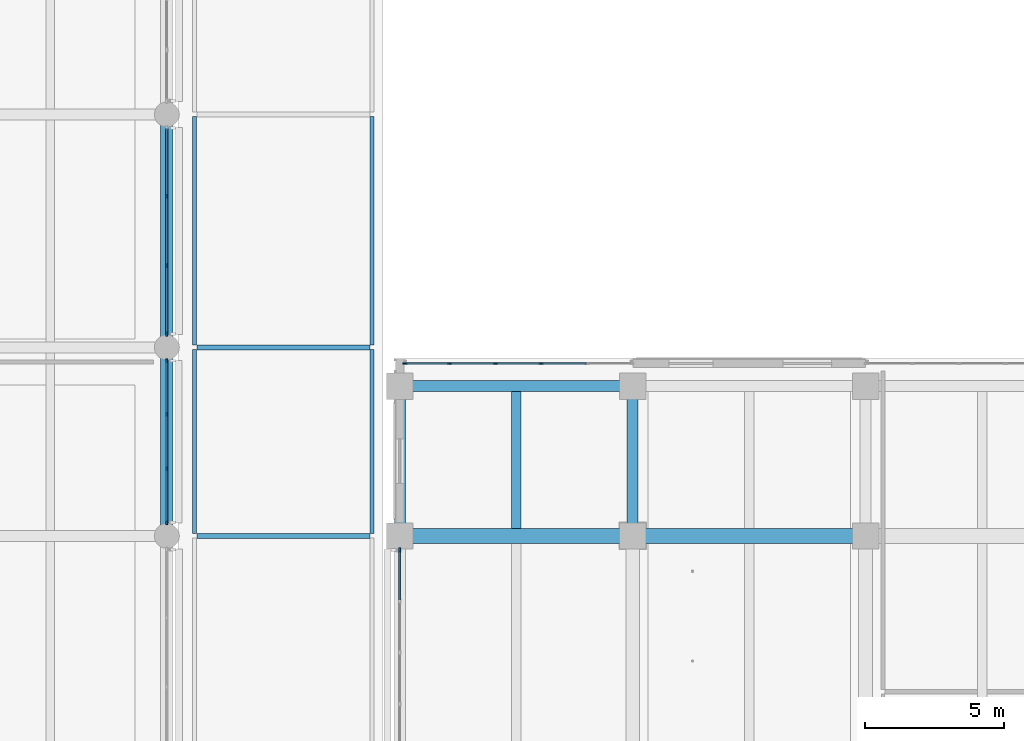
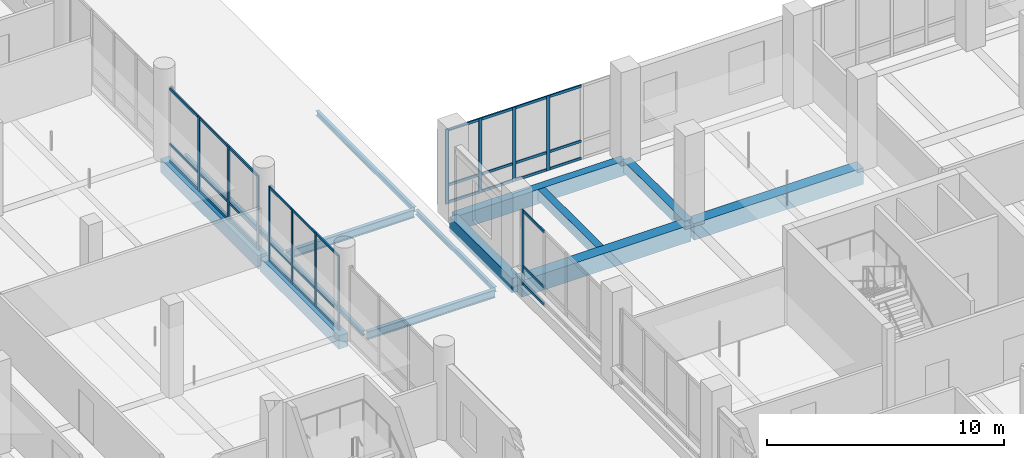
# One storey, part 16 of 128: 45 members, 14 beams, 4 elements without a shape of their own.
"""IFC4 building model written with IfcOpenShell, lengths in metres."""

from ifc_helpers import new_model, si_unit, direction, frame, origin, origin_2d, place, context, subcontext, project, spatial, rectangle, i_section, extrude, material, layer, layer_set, material_profile, profile_set, type_object, element, aggregate, save


model = new_model("IFC4")

# Units and contexts
model_context = context("Model", 3, precision=1e-05, world=origin(), true_north=direction((0.0, 1.0)))
body_context = subcontext(model_context, "Body", "Model", "MODEL_VIEW")
ifc_project = project(units=[si_unit("LENGTHUNIT", "METRE"), si_unit("AREAUNIT", "SQUARE_METRE"), si_unit("VOLUMEUNIT", "CUBIC_METRE"), si_unit("PLANEANGLEUNIT", "RADIAN"), si_unit("MASSUNIT", "GRAM", prefix="KILO")], contexts=[model_context])

# Site, building, storey
site_placement = place(None, origin())
site = spatial("IfcSite", under=ifc_project, at=site_placement, CompositionType="ELEMENT")
building_placement = place(site_placement, origin())
building = spatial("IfcBuilding", under=site, at=building_placement, Name="Telukmera Botanical Conservatory", CompositionType="ELEMENT")
storey_placement = place(building_placement, frame((0.0, 0.0, 5.39990234375)))
storey = spatial("IfcBuildingStorey", under=building, at=storey_placement, Name="L01", CompositionType="ELEMENT", Elevation=5.39990234375)

# Beams
ifc_material_1 = material(Name="Concrete C40/50", Category="concrete")
ifc_material_profile_1 = material_profile(ifc_material_1, rectangle(XDim=0.449951171875, YDim=0.699951171875, at=origin_2d()), Name="RC 450x700")
ifc_profile_set_1 = profile_set([ifc_material_profile_1], Name="Concrete C40/50")
beam_type_1 = type_object("IfcBeamType", Name="Beam_B15", PredefinedType="BEAM", material=ifc_profile_set_1)
beam_1_placement = place(storey_placement, frame((42.0, 42.8798828125, -0.349853515625), z_axis=(0.0, 1.0, 0.0), x_axis=(-1.0, 0.0, 0.0)))
element("IfcBeam", 1, at=beam_1_placement, inside=storey, type_object=beam_type_1, Name="Visitor Wing Transverse Beam L01", PredefinedType="BEAM", context=body_context, shape_type="SweptSolid", body=[
    extrude(rectangle(XDim=0.449951171875, YDim=0.699951171875, at=origin_2d()), origin(), (0.0, 0.0, 1.0), 6.64013671875),
])
beam_2_placement = place(storey_placement, frame((42.0, 49.679931640625, -0.349853515625), z_axis=(0.0, 1.0, 0.0), x_axis=(-1.0, 0.0, 0.0)))
element("IfcBeam", 2, at=beam_2_placement, inside=storey, type_object=beam_type_1, Name="Visitor Wing Transverse Beam L01", PredefinedType="BEAM", context=body_context, shape_type="SweptSolid", body=[
    extrude(rectangle(XDim=0.449951171875, YDim=0.699951171875, at=origin_2d()), origin(), (0.0, 0.0, 1.0), 8.239990234375),
])
ifc_material_profile_2 = material_profile(ifc_material_1, rectangle(XDim=0.39990234375, YDim=0.60009765625, at=origin_2d()), Name="RC 400x600")
ifc_profile_set_2 = profile_set([ifc_material_profile_2], Name="Concrete C40/50")
beam_type_2 = type_object("IfcBeamType", Name="Beam_B18", PredefinedType="BEAM", material=ifc_profile_set_2)
beam_3_placement = place(storey_placement, frame((58.800048828125, 42.8798828125, -0.2998046875), z_axis=(0.0, 1.0, 0.0), x_axis=(-1.0, 0.0, 0.0)))
element("IfcBeam", 3, at=beam_3_placement, inside=storey, type_object=beam_type_2, Name="Tower Transverse Beam L01", PredefinedType="BEAM", context=body_context, shape_type="SweptSolid", body=[
    extrude(rectangle(XDim=0.39990234375, YDim=0.60009765625, at=origin_2d()), origin(), (0.0, 0.0, 1.0), 5.240234375),
])
ifc_material_profile_3 = material_profile(ifc_material_1, rectangle(XDim=0.35009765625, YDim=0.550048828125, at=origin_2d()), Name="RC 350x550")
ifc_profile_set_3 = profile_set([ifc_material_profile_3], Name="Concrete C40/50")
beam_type_3 = type_object("IfcBeamType", Name="Beam_B21", PredefinedType="JOIST", material=ifc_profile_set_3)
beam_4_placement = place(storey_placement, frame((54.60009765625, 43.074951171875, -0.27490234375), z_axis=(0.0, 1.0, 0.0), x_axis=(-1.0, 0.0, 0.0)))
element("IfcBeam", 4, at=beam_4_placement, inside=storey, type_object=beam_type_3, Name="Tower Secondary Floor Joist L01", PredefinedType="JOIST", context=body_context, shape_type="SweptSolid", body=[
    extrude(rectangle(XDim=0.35009765625, YDim=0.550048828125, at=origin_2d()), origin(), (0.0, 0.0, 1.0), 4.925048828125),
])
ifc_material_profile_4 = material_profile(ifc_material_1, rectangle(XDim=0.550048828125, YDim=0.85009765625, at=origin_2d()), Name="RC 550x850")
ifc_profile_set_4 = profile_set([ifc_material_profile_4], Name="Concrete C40/50")
beam_type_4 = type_object("IfcBeamType", Name="Beam_B4", PredefinedType="BEAM", material=ifc_profile_set_4)
beam_5_placement = place(storey_placement, frame((50.47998046875, 42.800048828125, -0.4248046875), z_axis=(1.0, 0.0, 0.0), x_axis=(0.0, 1.0, 0.0)))
element("IfcBeam", 5, at=beam_5_placement, inside=storey, type_object=beam_type_4, Name="Tower Grid Beam L01", PredefinedType="BEAM", context=body_context, shape_type="SweptSolid", body=[
    extrude(rectangle(XDim=0.550048828125, YDim=0.85009765625, at=origin_2d()), origin(), (0.0, 0.0, 1.0), 8.239990234375),
])
beam_6_placement = place(storey_placement, frame((58.8798828125, 42.800048828125, -0.4248046875), z_axis=(1.0, 0.0, 0.0), x_axis=(0.0, 1.0, 0.0)))
element("IfcBeam", 6, at=beam_6_placement, inside=storey, type_object=beam_type_4, Name="Tower Grid Beam L01", PredefinedType="BEAM", context=body_context, shape_type="SweptSolid", body=[
    extrude(rectangle(XDim=0.550048828125, YDim=0.85009765625, at=origin_2d()), origin(), (0.0, 0.0, 1.0), 8.240234375),
])
ifc_material_2 = material(Name="Steel S355", Category="steel")
ifc_material_profile_5 = material_profile(ifc_material_2, i_section(OverallWidth=0.1787109375, OverallDepth=0.409423828125, WebThickness=0.0087890625, FlangeThickness=0.014404296875, FilletRadius=0.01025390625, at=origin_2d()), Name="UB 406x178x67")
ifc_profile_set_5 = profile_set([ifc_material_profile_5], Name="Steel S355")
beam_type_5 = type_object("IfcBeamType", Name="Beam_SB4", PredefinedType="BEAM", material=ifc_profile_set_5)
for number, where, z_axis, x_axis, name in (
    (7, (43.080078125, 42.800048828125, -0.364501953125), (1.0, 0.0, 0.0), (0.0, 1.0, 0.0), "Canopy Steel Girder west_arcade"),
    (8, (43.080078125, 49.60009765625, -0.364501953125), (1.0, 0.0, 0.0), (0.0, 1.0, 0.0), "Canopy Steel Girder west_arcade"),
):
    element("IfcBeam", number, at=place(storey_placement, frame(where, z_axis=z_axis, x_axis=x_axis)), inside=storey, type_object=beam_type_5, Name=name, PredefinedType="BEAM", context=body_context, shape_type="SweptSolid", body=[
        extrude(i_section(OverallWidth=0.1787109375, OverallDepth=0.409423828125, WebThickness=0.0087890625, FlangeThickness=0.014404296875, FilletRadius=0.01025390625, at=origin_2d()), origin(), (0.0, 0.0, 1.0), 6.239990234375),
    ])
ifc_material_profile_6 = material_profile(ifc_material_2, i_section(OverallWidth=0.146484375, OverallDepth=0.256103515625, WebThickness=0.00634765625, FlangeThickness=0.010986328125, FilletRadius=0.007568359375, at=origin_2d()), Name="UB 254x146x37")
ifc_profile_set_6 = profile_set([ifc_material_profile_6], Name="Steel S355")
beam_type_6 = type_object("IfcBeamType", Name="Beam_SB7", PredefinedType="JOIST", material=ifc_profile_set_6)
beam_7_placement = place(storey_placement, frame((43.0, 42.8798828125, -0.287841796875), z_axis=(0.0, 1.0, 0.0), x_axis=(-1.0, 0.0, 0.0)))
element("IfcBeam", 9, at=beam_7_placement, inside=storey, type_object=beam_type_6, Name="Canopy Steel Purlin west_arcade", PredefinedType="JOIST", context=body_context, shape_type="SweptSolid", body=[
    extrude(i_section(OverallWidth=0.146484375, OverallDepth=0.256103515625, WebThickness=0.00634765625, FlangeThickness=0.010986328125, FilletRadius=0.007568359375, at=origin_2d()), origin(), (0.0, 0.0, 1.0), 6.64013671875),
])
beam_8_placement = place(storey_placement, frame((43.0, 49.679931640625, -0.287841796875), z_axis=(0.0, 1.0, 0.0), x_axis=(-1.0, 0.0, 0.0)))
element("IfcBeam", 10, at=beam_8_placement, inside=storey, type_object=beam_type_6, Name="Canopy Steel Purlin west_arcade", PredefinedType="JOIST", context=body_context, shape_type="SweptSolid", body=[
    extrude(i_section(OverallWidth=0.146484375, OverallDepth=0.256103515625, WebThickness=0.00634765625, FlangeThickness=0.010986328125, FilletRadius=0.007568359375, at=origin_2d()), origin(), (0.0, 0.0, 1.0), 8.239990234375),
])
beam_9_placement = place(storey_placement, frame((49.39990234375, 42.8798828125, -0.287841796875), z_axis=(0.0, 1.0, 0.0), x_axis=(-1.0, 0.0, 0.0)))
element("IfcBeam", 11, at=beam_9_placement, inside=storey, type_object=beam_type_6, Name="Canopy Steel Purlin west_arcade", PredefinedType="JOIST", context=body_context, shape_type="SweptSolid", body=[
    extrude(i_section(OverallWidth=0.146484375, OverallDepth=0.256103515625, WebThickness=0.00634765625, FlangeThickness=0.010986328125, FilletRadius=0.007568359375, at=origin_2d()), origin(), (0.0, 0.0, 1.0), 6.64013671875),
])
beam_10_placement = place(storey_placement, frame((49.39990234375, 49.679931640625, -0.287841796875), z_axis=(0.0, 1.0, 0.0), x_axis=(-1.0, 0.0, 0.0)))
element("IfcBeam", 12, at=beam_10_placement, inside=storey, type_object=beam_type_6, Name="Canopy Steel Purlin west_arcade", PredefinedType="JOIST", context=body_context, shape_type="SweptSolid", body=[
    extrude(i_section(OverallWidth=0.146484375, OverallDepth=0.256103515625, WebThickness=0.00634765625, FlangeThickness=0.010986328125, FilletRadius=0.007568359375, at=origin_2d()), origin(), (0.0, 0.0, 1.0), 8.239990234375),
])
ifc_material_3 = material(Name="Precast concrete C40/50", Category="concrete")
ifc_material_profile_7 = material_profile(ifc_material_3, rectangle(XDim=0.39990234375, YDim=0.75, at=origin_2d()), Name="PC 400x750")
ifc_profile_set_7 = profile_set([ifc_material_profile_7], Name="Precast concrete C40/50")
beam_type_7 = type_object("IfcBeamType", Name="Beam_SP1", PredefinedType="SPANDREL", material=ifc_profile_set_7)
beam_11_placement = place(storey_placement, frame((50.47998046875, 48.199951171875, -0.375), z_axis=(1.0, 0.0, 0.0), x_axis=(0.0, 1.0, 0.0)))
element("IfcBeam", 13, at=beam_11_placement, inside=storey, type_object=beam_type_7, Name="Tower Grid Beam L01", PredefinedType="SPANDREL", context=body_context, shape_type="SweptSolid", body=[
    extrude(rectangle(XDim=0.39990234375, YDim=0.75, at=origin_2d()), origin(), (0.0, 0.0, 1.0), 8.239990234375),
])
beam_12_placement = place(storey_placement, frame((50.39990234375, 42.8798828125, -0.375), z_axis=(0.0, 1.0, 0.0), x_axis=(-1.0, 0.0, 0.0)))
element("IfcBeam", 14, at=beam_12_placement, inside=storey, type_object=beam_type_7, Name="Tower Transverse Beam L01", PredefinedType="SPANDREL", context=body_context, shape_type="SweptSolid", body=[
    extrude(rectangle(XDim=0.39990234375, YDim=0.75, at=origin_2d()), origin(), (0.0, 0.0, 1.0), 5.240234375),
])

# Curtain wall, members
ifc_material_4 = material(Name="Anodised aluminium 6063-T6", Category="aluminium")
ifc_layer_1 = layer(ifc_material_4, 0.179931640625)
ifc_layer_set_1 = layer_set([ifc_layer_1], Name="Anodised aluminium 6063-T6")
curtain_wall_type_1 = type_object("IfcCurtainWallType", Name="Visitor Courtyard Narrow Bay Curtain Wall", PredefinedType="USERDEFINED", material=ifc_layer_set_1)
curtain_wall_1_placement = place(storey_placement, origin())
curtain_wall_1 = element("IfcCurtainWall", 15, at=curtain_wall_1_placement, inside=storey, type_object=curtain_wall_type_1, Name="Unitised Curtain Wall CW10 V3:L01:E4", ObjectType="UNITISED CURTAIN WALL", PredefinedType="USERDEFINED")
ifc_material_profile_8 = material_profile(ifc_material_4, rectangle(XDim=0.06005859375, YDim=0.139892578125, at=origin_2d()), Name="ALU MULL 60x140")
ifc_profile_set_8 = profile_set([ifc_material_profile_8], Name="Anodised aluminium 6063-T6")
member_type_1 = type_object("IfcMemberType", Name="Curtain Wall Extruded Mullion 60x140", PredefinedType="MULLION", material=ifc_profile_set_8)
member_1_placement = place(storey_placement, frame((42.0, 43.281982421875, 0.0), z_axis=(0.0, 0.0, 1.0), x_axis=(-1.0, 0.0, 0.0)))
member_1 = element("IfcMember", 16, at=member_1_placement, type_object=member_type_1, Name="CW10 mullion 1", PredefinedType="MULLION", context=body_context, shape_type="SweptSolid", body=[
    extrude(rectangle(XDim=0.06005859375, YDim=0.139892578125, at=origin_2d()), origin(), (0.0, 0.0, 1.0), 3.85009765625),
])
member_2_placement = place(storey_placement, frame((42.0, 45.21728515625, 0.0), z_axis=(0.0, 0.0, 1.0), x_axis=(-1.0, 0.0, 0.0)))
member_2 = element("IfcMember", 17, at=member_2_placement, type_object=member_type_1, Name="CW10 mullion 2", PredefinedType="MULLION", context=body_context, shape_type="SweptSolid", body=[
    extrude(rectangle(XDim=0.06005859375, YDim=0.139892578125, at=origin_2d()), origin(), (0.0, 0.0, 1.0), 3.85009765625),
])
member_3_placement = place(storey_placement, frame((42.0, 47.1826171875, 0.0), z_axis=(0.0, 0.0, 1.0), x_axis=(-1.0, 0.0, 0.0)))
member_3 = element("IfcMember", 18, at=member_3_placement, type_object=member_type_1, Name="CW10 mullion 3", PredefinedType="MULLION", context=body_context, shape_type="SweptSolid", body=[
    extrude(rectangle(XDim=0.06005859375, YDim=0.139892578125, at=origin_2d()), origin(), (0.0, 0.0, 1.0), 3.85009765625),
])
member_4_placement = place(storey_placement, frame((42.0, 49.117919921875, 0.0), z_axis=(0.0, 0.0, 1.0), x_axis=(-1.0, 0.0, 0.0)))
member_4 = element("IfcMember", 19, at=member_4_placement, type_object=member_type_1, Name="CW10 mullion 4", PredefinedType="MULLION", context=body_context, shape_type="SweptSolid", body=[
    extrude(rectangle(XDim=0.06005859375, YDim=0.139892578125, at=origin_2d()), origin(), (0.0, 0.0, 1.0), 3.85009765625),
])

ifc_layer_2 = layer(ifc_material_4, 0.179931640625)
ifc_layer_set_2 = layer_set([ifc_layer_2], Name="Anodised aluminium 6063-T6")
curtain_wall_type_2 = type_object("IfcCurtainWallType", Name="Visitor Gallery Second Floor Curtain Wall 2400 Mod", PredefinedType="USERDEFINED", material=ifc_layer_set_2)
curtain_wall_2_placement = place(storey_placement, origin())
curtain_wall_2 = element("IfcCurtainWall", 20, at=curtain_wall_2_placement, inside=storey, type_object=curtain_wall_type_2, Name="Unitised Curtain Wall CW09 V3:L01:E5", ObjectType="UNITISED CURTAIN WALL", PredefinedType="USERDEFINED")
ifc_material_profile_9 = material_profile(ifc_material_4, rectangle(XDim=0.06494140625, YDim=0.159912109375, at=origin_2d()), Name="ALU MULL 65x160")
ifc_profile_set_9 = profile_set([ifc_material_profile_9], Name="Anodised aluminium 6063-T6")
member_type_2 = type_object("IfcMemberType", Name="Curtain Wall Extruded Mullion 65x160", PredefinedType="MULLION", material=ifc_profile_set_9)
member_5_placement = place(storey_placement, frame((42.0, 50.08447265625, 0.0), z_axis=(0.0, 0.0, 1.0), x_axis=(-1.0, 0.0, 0.0)))
member_5 = element("IfcMember", 21, at=member_5_placement, type_object=member_type_2, Name="CW09 mullion 1", PredefinedType="MULLION", context=body_context, shape_type="SweptSolid", body=[
    extrude(rectangle(XDim=0.06494140625, YDim=0.159912109375, at=origin_2d()), origin(), (0.0, 0.0, 1.0), 3.85009765625),
])
member_6_placement = place(storey_placement, frame((42.0, 52.55078125, 0.0), z_axis=(0.0, 0.0, 1.0), x_axis=(-1.0, 0.0, 0.0)))
member_6 = element("IfcMember", 22, at=member_6_placement, type_object=member_type_2, Name="CW09 mullion 2", PredefinedType="MULLION", context=body_context, shape_type="SweptSolid", body=[
    extrude(rectangle(XDim=0.06494140625, YDim=0.159912109375, at=origin_2d()), origin(), (0.0, 0.0, 1.0), 3.85009765625),
])
member_7_placement = place(storey_placement, frame((42.0, 55.04931640625, 0.0), z_axis=(0.0, 0.0, 1.0), x_axis=(-1.0, 0.0, 0.0)))
member_7 = element("IfcMember", 23, at=member_7_placement, type_object=member_type_2, Name="CW09 mullion 3", PredefinedType="MULLION", context=body_context, shape_type="SweptSolid", body=[
    extrude(rectangle(XDim=0.06494140625, YDim=0.159912109375, at=origin_2d()), origin(), (0.0, 0.0, 1.0), 3.85009765625),
])

ifc_layer_3 = layer(ifc_material_4, 0.179931640625)
ifc_layer_set_3 = layer_set([ifc_layer_3], Name="Anodised aluminium 6063-T6")
curtain_wall_type_3 = type_object("IfcCurtainWallType", Name="Tower Reference Library Curtain Wall", PredefinedType="USERDEFINED", material=ifc_layer_set_3)
curtain_wall_3_placement = place(storey_placement, origin())
curtain_wall_3 = element("IfcCurtainWall", 24, at=curtain_wall_3_placement, inside=storey, type_object=curtain_wall_type_3, Name="Unitised Curtain Wall CW13 V4:L01:N1", ObjectType="UNITISED CURTAIN WALL", PredefinedType="USERDEFINED")
member_8_placement = place(storey_placement, frame((50.58447265625, 49.02001953125, 0.0), z_axis=(0.0, 0.0, 1.0), x_axis=(0.0, 1.0, 0.0)))
member_8 = element("IfcMember", 25, at=member_8_placement, type_object=member_type_2, Name="CW13 mullion 1", PredefinedType="MULLION", context=body_context, shape_type="SweptSolid", body=[
    extrude(rectangle(XDim=0.06494140625, YDim=0.159912109375, at=origin_2d()), origin(), (0.0, 0.0, 1.0), 3.85009765625),
])
member_9_placement = place(storey_placement, frame((52.201171875, 49.02001953125, 0.0), z_axis=(0.0, 0.0, 1.0), x_axis=(0.0, 1.0, 0.0)))
member_9 = element("IfcMember", 26, at=member_9_placement, type_object=member_type_2, Name="CW13 mullion 2", PredefinedType="MULLION", context=body_context, shape_type="SweptSolid", body=[
    extrude(rectangle(XDim=0.06494140625, YDim=0.159912109375, at=origin_2d()), origin(), (0.0, 0.0, 1.0), 3.85009765625),
])
member_10_placement = place(storey_placement, frame((53.850341796875, 49.02001953125, 0.0), z_axis=(0.0, 0.0, 1.0), x_axis=(0.0, 1.0, 0.0)))
member_10 = element("IfcMember", 27, at=member_10_placement, type_object=member_type_2, Name="CW13 mullion 3", PredefinedType="MULLION", context=body_context, shape_type="SweptSolid", body=[
    extrude(rectangle(XDim=0.06494140625, YDim=0.159912109375, at=origin_2d()), origin(), (0.0, 0.0, 1.0), 3.85009765625),
])
member_11_placement = place(storey_placement, frame((55.49951171875, 49.02001953125, 0.0), z_axis=(0.0, 0.0, 1.0), x_axis=(0.0, 1.0, 0.0)))
member_11 = element("IfcMember", 28, at=member_11_placement, type_object=member_type_2, Name="CW13 mullion 4", PredefinedType="MULLION", context=body_context, shape_type="SweptSolid", body=[
    extrude(rectangle(XDim=0.06494140625, YDim=0.159912109375, at=origin_2d()), origin(), (0.0, 0.0, 1.0), 3.85009765625),
])

# Curtain wall, member
curtain_wall_4_placement = place(storey_placement, origin())
curtain_wall_4 = element("IfcCurtainWall", 29, at=curtain_wall_4_placement, inside=storey, type_object=curtain_wall_type_3, Name="Unitised Curtain Wall CW13 V4:L01:W4", ObjectType="UNITISED CURTAIN WALL", PredefinedType="USERDEFINED")
member_12_placement = place(storey_placement, frame((50.39990234375, 42.29052734375, 0.0), z_axis=(0.0, 0.0, 1.0), x_axis=(-1.0, 0.0, 0.0)))
member_12 = element("IfcMember", 30, at=member_12_placement, type_object=member_type_2, Name="CW13 mullion 5", PredefinedType="MULLION", context=body_context, shape_type="SweptSolid", body=[
    extrude(rectangle(XDim=0.06494140625, YDim=0.159912109375, at=origin_2d()), origin(), (0.0, 0.0, 1.0), 3.85009765625),
])

# Member
ifc_material_profile_10 = material_profile(ifc_material_4, rectangle(XDim=0.06005859375, YDim=0.110107421875, at=origin_2d()), Name="ALU TRAN 60x110")
ifc_profile_set_10 = profile_set([ifc_material_profile_10], Name="Anodised aluminium 6063-T6")
member_type_3 = type_object("IfcMemberType", Name="Curtain Wall Extruded Transom 60x110", PredefinedType="USERDEFINED", material=ifc_profile_set_10)
member_13_placement = place(storey_placement, frame((42.0, 43.31201171875, 0.05517578125), z_axis=(0.0, 1.0, 0.0), x_axis=(-1.0, 0.0, 0.0)))
member_13 = element("IfcMember", 31, at=member_13_placement, type_object=member_type_3, Name="CW10 transom 1.1", ObjectType="TRANSOM", PredefinedType="USERDEFINED", context=body_context, shape_type="SweptSolid", body=[
    extrude(rectangle(XDim=0.06005859375, YDim=0.110107421875, at=origin_2d()), origin(), (0.0, 0.0, 1.0), 1.875244140625),
])

member_14_placement = place(storey_placement, frame((42.0, 43.31201171875, 0.9501953125), z_axis=(0.0, 1.0, 0.0), x_axis=(-1.0, 0.0, 0.0)))
member_14 = element("IfcMember", 32, at=member_14_placement, type_object=member_type_3, Name="CW10 transom 1.2", ObjectType="TRANSOM", PredefinedType="USERDEFINED", context=body_context, shape_type="SweptSolid", body=[
    extrude(rectangle(XDim=0.06005859375, YDim=0.110107421875, at=origin_2d()), origin(), (0.0, 0.0, 1.0), 1.875244140625),
])

member_15_placement = place(storey_placement, frame((42.0, 43.31201171875, 3.795166015625), z_axis=(0.0, 1.0, 0.0), x_axis=(-1.0, 0.0, 0.0)))
member_15 = element("IfcMember", 33, at=member_15_placement, type_object=member_type_3, Name="CW10 transom 1.3", ObjectType="TRANSOM", PredefinedType="USERDEFINED", context=body_context, shape_type="SweptSolid", body=[
    extrude(rectangle(XDim=0.06005859375, YDim=0.110107421875, at=origin_2d()), origin(), (0.0, 0.0, 1.0), 1.875244140625),
])

member_16_placement = place(storey_placement, frame((42.0, 45.247314453125, 0.05517578125), z_axis=(0.0, 1.0, 0.0), x_axis=(-1.0, 0.0, 0.0)))
member_16 = element("IfcMember", 34, at=member_16_placement, type_object=member_type_3, Name="CW10 transom 2.1", ObjectType="TRANSOM", PredefinedType="USERDEFINED", context=body_context, shape_type="SweptSolid", body=[
    extrude(rectangle(XDim=0.06005859375, YDim=0.110107421875, at=origin_2d()), origin(), (0.0, 0.0, 1.0), 1.9052734375),
])

member_17_placement = place(storey_placement, frame((42.0, 45.247314453125, 0.9501953125), z_axis=(0.0, 1.0, 0.0), x_axis=(-1.0, 0.0, 0.0)))
member_17 = element("IfcMember", 35, at=member_17_placement, type_object=member_type_3, Name="CW10 transom 2.2", ObjectType="TRANSOM", PredefinedType="USERDEFINED", context=body_context, shape_type="SweptSolid", body=[
    extrude(rectangle(XDim=0.06005859375, YDim=0.110107421875, at=origin_2d()), origin(), (0.0, 0.0, 1.0), 1.9052734375),
])

member_18_placement = place(storey_placement, frame((42.0, 45.247314453125, 3.795166015625), z_axis=(0.0, 1.0, 0.0), x_axis=(-1.0, 0.0, 0.0)))
member_18 = element("IfcMember", 36, at=member_18_placement, type_object=member_type_3, Name="CW10 transom 2.3", ObjectType="TRANSOM", PredefinedType="USERDEFINED", context=body_context, shape_type="SweptSolid", body=[
    extrude(rectangle(XDim=0.06005859375, YDim=0.110107421875, at=origin_2d()), origin(), (0.0, 0.0, 1.0), 1.9052734375),
])

member_19_placement = place(storey_placement, frame((42.0, 47.212646484375, 0.05517578125), z_axis=(0.0, 1.0, 0.0), x_axis=(-1.0, 0.0, 0.0)))
member_19 = element("IfcMember", 37, at=member_19_placement, type_object=member_type_3, Name="CW10 transom 3.1", ObjectType="TRANSOM", PredefinedType="USERDEFINED", context=body_context, shape_type="SweptSolid", body=[
    extrude(rectangle(XDim=0.06005859375, YDim=0.110107421875, at=origin_2d()), origin(), (0.0, 0.0, 1.0), 1.875244140625),
])

member_20_placement = place(storey_placement, frame((42.0, 47.212646484375, 0.9501953125), z_axis=(0.0, 1.0, 0.0), x_axis=(-1.0, 0.0, 0.0)))
member_20 = element("IfcMember", 38, at=member_20_placement, type_object=member_type_3, Name="CW10 transom 3.2", ObjectType="TRANSOM", PredefinedType="USERDEFINED", context=body_context, shape_type="SweptSolid", body=[
    extrude(rectangle(XDim=0.06005859375, YDim=0.110107421875, at=origin_2d()), origin(), (0.0, 0.0, 1.0), 1.875244140625),
])

member_21_placement = place(storey_placement, frame((42.0, 47.212646484375, 3.795166015625), z_axis=(0.0, 1.0, 0.0), x_axis=(-1.0, 0.0, 0.0)))
member_21 = element("IfcMember", 39, at=member_21_placement, type_object=member_type_3, Name="CW10 transom 3.3", ObjectType="TRANSOM", PredefinedType="USERDEFINED", context=body_context, shape_type="SweptSolid", body=[
    extrude(rectangle(XDim=0.06005859375, YDim=0.110107421875, at=origin_2d()), origin(), (0.0, 0.0, 1.0), 1.875244140625),
])

aggregate(curtain_wall_1, [member_1, member_2, member_3, member_4, member_13, member_14, member_15, member_16, member_17, member_18, member_19, member_20, member_21])

ifc_material_profile_11 = material_profile(ifc_material_4, rectangle(XDim=0.06494140625, YDim=0.1298828125, at=origin_2d()), Name="ALU TRAN 65x130")
ifc_profile_set_11 = profile_set([ifc_material_profile_11], Name="Anodised aluminium 6063-T6")
member_type_4 = type_object("IfcMemberType", Name="Curtain Wall Extruded Transom 65x130", PredefinedType="USERDEFINED", material=ifc_profile_set_11)
member_22_placement = place(storey_placement, frame((42.0, 50.116943359375, 0.065185546875), z_axis=(0.0, 1.0, 0.0), x_axis=(-1.0, 0.0, 0.0)))
member_22 = element("IfcMember", 40, at=member_22_placement, type_object=member_type_4, Name="CW09 transom 1.1", ObjectType="TRANSOM", PredefinedType="USERDEFINED", context=body_context, shape_type="SweptSolid", body=[
    extrude(rectangle(XDim=0.06494140625, YDim=0.1298828125, at=origin_2d()), origin(), (0.0, 0.0, 1.0), 2.401123046875),
])

member_23_placement = place(storey_placement, frame((42.0, 50.116943359375, 0.9501953125), z_axis=(0.0, 1.0, 0.0), x_axis=(-1.0, 0.0, 0.0)))
member_23 = element("IfcMember", 41, at=member_23_placement, type_object=member_type_4, Name="CW09 transom 1.2", ObjectType="TRANSOM", PredefinedType="USERDEFINED", context=body_context, shape_type="SweptSolid", body=[
    extrude(rectangle(XDim=0.06494140625, YDim=0.1298828125, at=origin_2d()), origin(), (0.0, 0.0, 1.0), 2.401123046875),
])

member_24_placement = place(storey_placement, frame((42.0, 50.116943359375, 3.78515625), z_axis=(0.0, 1.0, 0.0), x_axis=(-1.0, 0.0, 0.0)))
member_24 = element("IfcMember", 42, at=member_24_placement, type_object=member_type_4, Name="CW09 transom 1.3", ObjectType="TRANSOM", PredefinedType="USERDEFINED", context=body_context, shape_type="SweptSolid", body=[
    extrude(rectangle(XDim=0.06494140625, YDim=0.1298828125, at=origin_2d()), origin(), (0.0, 0.0, 1.0), 2.401123046875),
])

member_25_placement = place(storey_placement, frame((42.0, 52.583251953125, 0.065185546875), z_axis=(0.0, 1.0, 0.0), x_axis=(-1.0, 0.0, 0.0)))
member_25 = element("IfcMember", 43, at=member_25_placement, type_object=member_type_4, Name="CW09 transom 2.1", ObjectType="TRANSOM", PredefinedType="USERDEFINED", context=body_context, shape_type="SweptSolid", body=[
    extrude(rectangle(XDim=0.06494140625, YDim=0.1298828125, at=origin_2d()), origin(), (0.0, 0.0, 1.0), 2.43359375),
])

member_26_placement = place(storey_placement, frame((42.0, 52.583251953125, 0.9501953125), z_axis=(0.0, 1.0, 0.0), x_axis=(-1.0, 0.0, 0.0)))
member_26 = element("IfcMember", 44, at=member_26_placement, type_object=member_type_4, Name="CW09 transom 2.2", ObjectType="TRANSOM", PredefinedType="USERDEFINED", context=body_context, shape_type="SweptSolid", body=[
    extrude(rectangle(XDim=0.06494140625, YDim=0.1298828125, at=origin_2d()), origin(), (0.0, 0.0, 1.0), 2.43359375),
])

member_27_placement = place(storey_placement, frame((42.0, 52.583251953125, 3.78515625), z_axis=(0.0, 1.0, 0.0), x_axis=(-1.0, 0.0, 0.0)))
member_27 = element("IfcMember", 45, at=member_27_placement, type_object=member_type_4, Name="CW09 transom 2.3", ObjectType="TRANSOM", PredefinedType="USERDEFINED", context=body_context, shape_type="SweptSolid", body=[
    extrude(rectangle(XDim=0.06494140625, YDim=0.1298828125, at=origin_2d()), origin(), (0.0, 0.0, 1.0), 2.43359375),
])

member_28_placement = place(storey_placement, frame((42.0, 55.081787109375, 0.065185546875), z_axis=(0.0, 1.0, 0.0), x_axis=(-1.0, 0.0, 0.0)))
member_28 = element("IfcMember", 46, at=member_28_placement, type_object=member_type_4, Name="CW09 transom 3.1", ObjectType="TRANSOM", PredefinedType="USERDEFINED", context=body_context, shape_type="SweptSolid", body=[
    extrude(rectangle(XDim=0.06494140625, YDim=0.1298828125, at=origin_2d()), origin(), (0.0, 0.0, 1.0), 2.401123046875),
])

member_29_placement = place(storey_placement, frame((42.0, 55.081787109375, 0.9501953125), z_axis=(0.0, 1.0, 0.0), x_axis=(-1.0, 0.0, 0.0)))
member_29 = element("IfcMember", 47, at=member_29_placement, type_object=member_type_4, Name="CW09 transom 3.2", ObjectType="TRANSOM", PredefinedType="USERDEFINED", context=body_context, shape_type="SweptSolid", body=[
    extrude(rectangle(XDim=0.06494140625, YDim=0.1298828125, at=origin_2d()), origin(), (0.0, 0.0, 1.0), 2.401123046875),
])

member_30_placement = place(storey_placement, frame((42.0, 55.081787109375, 3.78515625), z_axis=(0.0, 1.0, 0.0), x_axis=(-1.0, 0.0, 0.0)))
member_30 = element("IfcMember", 48, at=member_30_placement, type_object=member_type_4, Name="CW09 transom 3.3", ObjectType="TRANSOM", PredefinedType="USERDEFINED", context=body_context, shape_type="SweptSolid", body=[
    extrude(rectangle(XDim=0.06494140625, YDim=0.1298828125, at=origin_2d()), origin(), (0.0, 0.0, 1.0), 2.401123046875),
])

aggregate(curtain_wall_2, [member_5, member_6, member_7, member_22, member_23, member_24, member_25, member_26, member_27, member_28, member_29, member_30])

member_31_placement = place(storey_placement, frame((50.616943359375, 49.02001953125, 0.065185546875), z_axis=(1.0, 0.0, 0.0), x_axis=(0.0, 1.0, 0.0)))
member_31 = element("IfcMember", 49, at=member_31_placement, type_object=member_type_4, Name="CW13 transom 1.1", ObjectType="TRANSOM", PredefinedType="USERDEFINED", context=body_context, shape_type="SweptSolid", body=[
    extrude(rectangle(XDim=0.06494140625, YDim=0.1298828125, at=origin_2d()), origin(), (0.0, 0.0, 1.0), 1.5517578125),
])

member_32_placement = place(storey_placement, frame((50.616943359375, 49.02001953125, 0.9501953125), z_axis=(1.0, 0.0, 0.0), x_axis=(0.0, 1.0, 0.0)))
member_32 = element("IfcMember", 50, at=member_32_placement, type_object=member_type_4, Name="CW13 transom 1.2", ObjectType="TRANSOM", PredefinedType="USERDEFINED", context=body_context, shape_type="SweptSolid", body=[
    extrude(rectangle(XDim=0.06494140625, YDim=0.1298828125, at=origin_2d()), origin(), (0.0, 0.0, 1.0), 1.5517578125),
])

member_33_placement = place(storey_placement, frame((50.616943359375, 49.02001953125, 3.78515625), z_axis=(1.0, 0.0, 0.0), x_axis=(0.0, 1.0, 0.0)))
member_33 = element("IfcMember", 51, at=member_33_placement, type_object=member_type_4, Name="CW13 transom 1.3", ObjectType="TRANSOM", PredefinedType="USERDEFINED", context=body_context, shape_type="SweptSolid", body=[
    extrude(rectangle(XDim=0.06494140625, YDim=0.1298828125, at=origin_2d()), origin(), (0.0, 0.0, 1.0), 1.5517578125),
])

member_34_placement = place(storey_placement, frame((52.233642578125, 49.02001953125, 0.065185546875), z_axis=(1.0, 0.0, 0.0), x_axis=(0.0, 1.0, 0.0)))
member_34 = element("IfcMember", 52, at=member_34_placement, type_object=member_type_4, Name="CW13 transom 2.1", ObjectType="TRANSOM", PredefinedType="USERDEFINED", context=body_context, shape_type="SweptSolid", body=[
    extrude(rectangle(XDim=0.06494140625, YDim=0.1298828125, at=origin_2d()), origin(), (0.0, 0.0, 1.0), 1.584228515625),
])

member_35_placement = place(storey_placement, frame((52.233642578125, 49.02001953125, 0.9501953125), z_axis=(1.0, 0.0, 0.0), x_axis=(0.0, 1.0, 0.0)))
member_35 = element("IfcMember", 53, at=member_35_placement, type_object=member_type_4, Name="CW13 transom 2.2", ObjectType="TRANSOM", PredefinedType="USERDEFINED", context=body_context, shape_type="SweptSolid", body=[
    extrude(rectangle(XDim=0.06494140625, YDim=0.1298828125, at=origin_2d()), origin(), (0.0, 0.0, 1.0), 1.584228515625),
])

member_36_placement = place(storey_placement, frame((52.233642578125, 49.02001953125, 3.78515625), z_axis=(1.0, 0.0, 0.0), x_axis=(0.0, 1.0, 0.0)))
member_36 = element("IfcMember", 54, at=member_36_placement, type_object=member_type_4, Name="CW13 transom 2.3", ObjectType="TRANSOM", PredefinedType="USERDEFINED", context=body_context, shape_type="SweptSolid", body=[
    extrude(rectangle(XDim=0.06494140625, YDim=0.1298828125, at=origin_2d()), origin(), (0.0, 0.0, 1.0), 1.584228515625),
])

member_37_placement = place(storey_placement, frame((53.8828125, 49.02001953125, 0.065185546875), z_axis=(1.0, 0.0, 0.0), x_axis=(0.0, 1.0, 0.0)))
member_37 = element("IfcMember", 55, at=member_37_placement, type_object=member_type_4, Name="CW13 transom 3.1", ObjectType="TRANSOM", PredefinedType="USERDEFINED", context=body_context, shape_type="SweptSolid", body=[
    extrude(rectangle(XDim=0.06494140625, YDim=0.1298828125, at=origin_2d()), origin(), (0.0, 0.0, 1.0), 1.584228515625),
])

member_38_placement = place(storey_placement, frame((53.8828125, 49.02001953125, 0.9501953125), z_axis=(1.0, 0.0, 0.0), x_axis=(0.0, 1.0, 0.0)))
member_38 = element("IfcMember", 56, at=member_38_placement, type_object=member_type_4, Name="CW13 transom 3.2", ObjectType="TRANSOM", PredefinedType="USERDEFINED", context=body_context, shape_type="SweptSolid", body=[
    extrude(rectangle(XDim=0.06494140625, YDim=0.1298828125, at=origin_2d()), origin(), (0.0, 0.0, 1.0), 1.584228515625),
])

member_39_placement = place(storey_placement, frame((53.8828125, 49.02001953125, 3.78515625), z_axis=(1.0, 0.0, 0.0), x_axis=(0.0, 1.0, 0.0)))
member_39 = element("IfcMember", 57, at=member_39_placement, type_object=member_type_4, Name="CW13 transom 3.3", ObjectType="TRANSOM", PredefinedType="USERDEFINED", context=body_context, shape_type="SweptSolid", body=[
    extrude(rectangle(XDim=0.06494140625, YDim=0.1298828125, at=origin_2d()), origin(), (0.0, 0.0, 1.0), 1.584228515625),
])

member_40_placement = place(storey_placement, frame((55.531982421875, 49.02001953125, 0.065185546875), z_axis=(1.0, 0.0, 0.0), x_axis=(0.0, 1.0, 0.0)))
member_40 = element("IfcMember", 58, at=member_40_placement, type_object=member_type_4, Name="CW13 transom 4.1", ObjectType="TRANSOM", PredefinedType="USERDEFINED", context=body_context, shape_type="SweptSolid", body=[
    extrude(rectangle(XDim=0.06494140625, YDim=0.1298828125, at=origin_2d()), origin(), (0.0, 0.0, 1.0), 1.584228515625),
])

member_41_placement = place(storey_placement, frame((55.531982421875, 49.02001953125, 0.9501953125), z_axis=(1.0, 0.0, 0.0), x_axis=(0.0, 1.0, 0.0)))
member_41 = element("IfcMember", 59, at=member_41_placement, type_object=member_type_4, Name="CW13 transom 4.2", ObjectType="TRANSOM", PredefinedType="USERDEFINED", context=body_context, shape_type="SweptSolid", body=[
    extrude(rectangle(XDim=0.06494140625, YDim=0.1298828125, at=origin_2d()), origin(), (0.0, 0.0, 1.0), 1.584228515625),
])

member_42_placement = place(storey_placement, frame((55.531982421875, 49.02001953125, 3.78515625), z_axis=(1.0, 0.0, 0.0), x_axis=(0.0, 1.0, 0.0)))
member_42 = element("IfcMember", 60, at=member_42_placement, type_object=member_type_4, Name="CW13 transom 4.3", ObjectType="TRANSOM", PredefinedType="USERDEFINED", context=body_context, shape_type="SweptSolid", body=[
    extrude(rectangle(XDim=0.06494140625, YDim=0.1298828125, at=origin_2d()), origin(), (0.0, 0.0, 1.0), 1.584228515625),
])

aggregate(curtain_wall_3, [member_8, member_9, member_10, member_11, member_31, member_32, member_33, member_34, member_35, member_36, member_37, member_38, member_39, member_40, member_41, member_42])

member_43_placement = place(storey_placement, frame((50.39990234375, 40.493896484375, 0.065185546875), z_axis=(0.0, 1.0, 0.0), x_axis=(-1.0, 0.0, 0.0)))
member_43 = element("IfcMember", 61, at=member_43_placement, type_object=member_type_4, Name="CW13 transom 4.1", ObjectType="TRANSOM", PredefinedType="USERDEFINED", context=body_context, shape_type="SweptSolid", body=[
    extrude(rectangle(XDim=0.06494140625, YDim=0.1298828125, at=origin_2d()), origin(), (0.0, 0.0, 1.0), 1.76416015625),
])

member_44_placement = place(storey_placement, frame((50.39990234375, 40.493896484375, 0.9501953125), z_axis=(0.0, 1.0, 0.0), x_axis=(-1.0, 0.0, 0.0)))
member_44 = element("IfcMember", 62, at=member_44_placement, type_object=member_type_4, Name="CW13 transom 4.2", ObjectType="TRANSOM", PredefinedType="USERDEFINED", context=body_context, shape_type="SweptSolid", body=[
    extrude(rectangle(XDim=0.06494140625, YDim=0.1298828125, at=origin_2d()), origin(), (0.0, 0.0, 1.0), 1.76416015625),
])

member_45_placement = place(storey_placement, frame((50.39990234375, 40.493896484375, 3.78515625), z_axis=(0.0, 1.0, 0.0), x_axis=(-1.0, 0.0, 0.0)))
member_45 = element("IfcMember", 63, at=member_45_placement, type_object=member_type_4, Name="CW13 transom 4.3", ObjectType="TRANSOM", PredefinedType="USERDEFINED", context=body_context, shape_type="SweptSolid", body=[
    extrude(rectangle(XDim=0.06494140625, YDim=0.1298828125, at=origin_2d()), origin(), (0.0, 0.0, 1.0), 1.76416015625),
])

aggregate(curtain_wall_4, [member_12, member_43, member_44, member_45])

save(model, "model.ifc")
